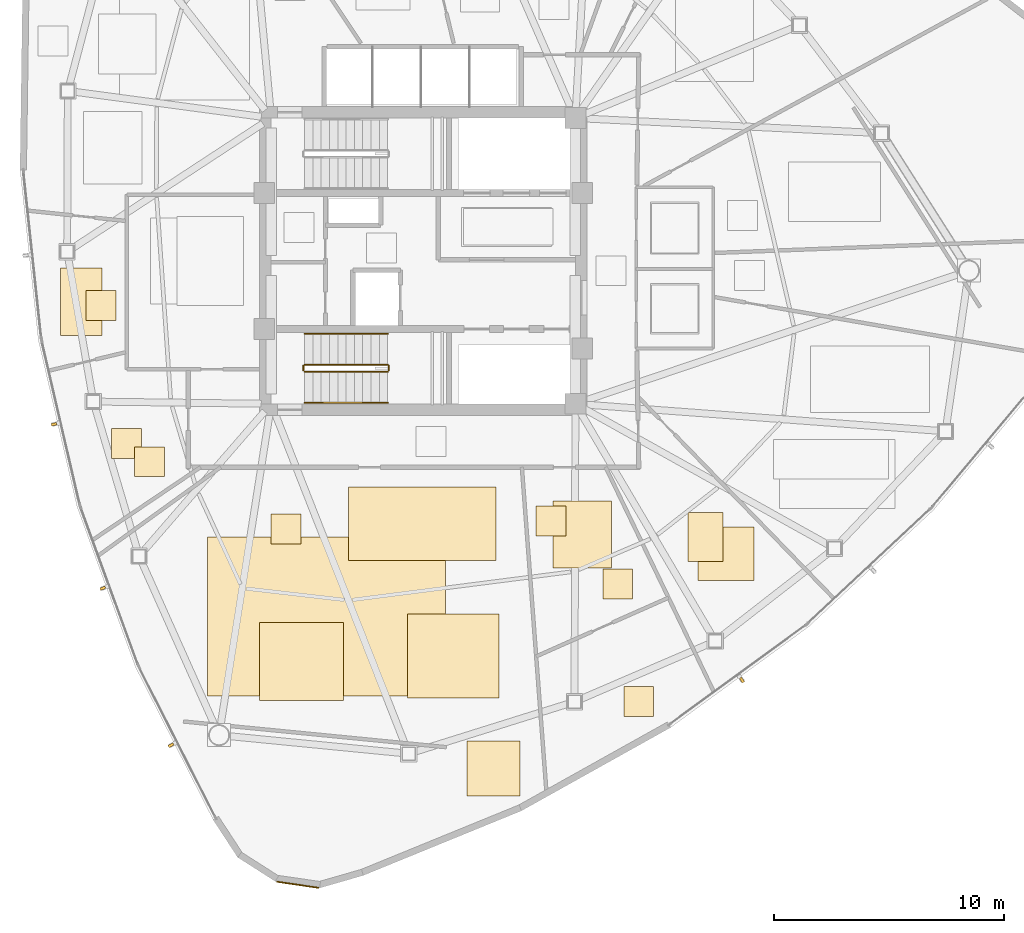
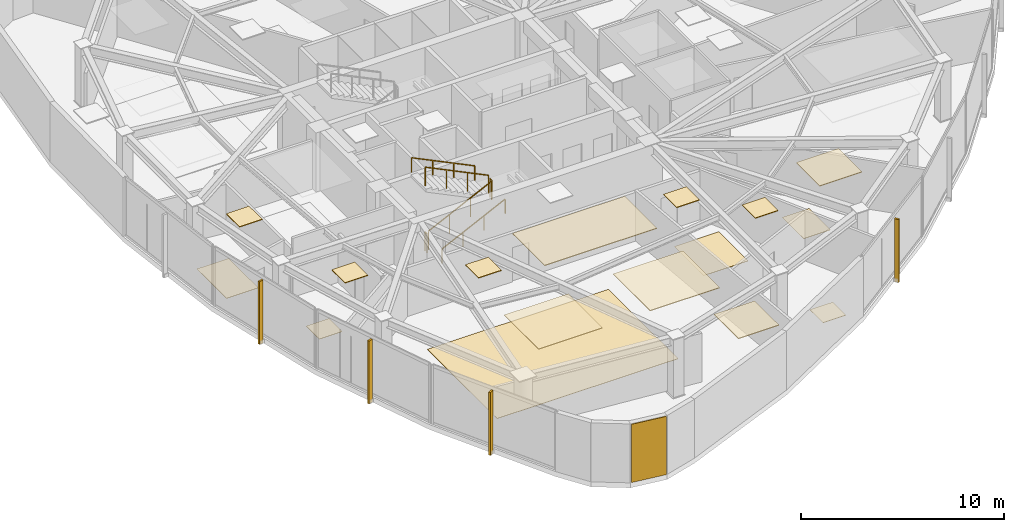
# One storey, part 14 of 17: 17 coverings, 6 railings, 4 shading devices.
"""IFC4 building model written with IfcOpenShell, lengths in metres."""

from ifc_helpers import new_model, si_unit, direction, frame, origin, origin_2d, place, context, subcontext, project, spatial, polyline, rectangle, outline, extrude, source, transform, mapped, material, layer, layer_set, type_object, type_shapes, element, save


model = new_model("IFC4")

# Units and contexts
model_context = context("Model", 3, precision=1e-05, world=origin(), true_north=direction((0.0, 1.0)))
body_context = subcontext(model_context, "Body", "Model", "MODEL_VIEW")
ifc_project = project(units=[si_unit("LENGTHUNIT", "METRE"), si_unit("AREAUNIT", "SQUARE_METRE"), si_unit("VOLUMEUNIT", "CUBIC_METRE"), si_unit("PLANEANGLEUNIT", "RADIAN"), si_unit("MASSUNIT", "GRAM", prefix="KILO")], contexts=[model_context])

# Site, building, storey
site_placement = place(None, origin())
site = spatial("IfcSite", under=ifc_project, at=site_placement, CompositionType="ELEMENT")
building_placement = place(site_placement, origin())
building = spatial("IfcBuilding", under=site, at=building_placement, Name="Tavelor Broadcast Tower", CompositionType="ELEMENT")
storey_placement = place(building_placement, frame((0.0, 0.0, 200.300048828125)))
storey = spatial("IfcBuildingStorey", under=building, at=storey_placement, Name="L48", CompositionType="ELEMENT", Elevation=200.300048828125)

# Covering
ifc_material_1 = material(Name="Copper-Bronze Anodized Aluminium", Category="aluminium")
ifc_layer_1 = layer(ifc_material_1, 0.050048828125)
ifc_layer_set_1 = layer_set([ifc_layer_1], Name="Copper-Bronze Anodized Aluminium")
covering_type_1 = type_object("IfcCoveringType", Name="Champagne-Bronze Corner Pier Metal Cladding 50 mm", PredefinedType="CLADDING", material=ifc_layer_set_1)
covering_1_placement = place(storey_placement, frame((44.55078125, 17.93359375, 0.02001953125), z_axis=(0.0, 0.0, 1.0), x_axis=(0.98965138682, -0.143492621991, 0.0)))
element("IfcCovering", 1, at=covering_1_placement, inside=storey, type_object=covering_type_1, Name="L48 Champagne-Bronze Corner Cladding 13", PredefinedType="CLADDING", context=body_context, shape_type="SweptSolid", body=[
    extrude(rectangle(XDim=1.849365234375, YDim=0.050048828125, at=origin_2d()), origin(), (0.0, 0.0, 1.0), 3.510009765625),
])

# Railings
ifc_material_2 = material(Name="Steel S355", Category="steel")
railing_type_1 = type_object("IfcRailingType", Name="Continuous Brushed Stainless Handrail 900 mm", PredefinedType="HANDRAIL", material=ifc_material_2)
railing_1_placement = place(storey_placement, frame((44.85009765625, 38.85009765625, 0.175048828125)))
element("IfcRailing", 2, at=railing_1_placement, inside=storey, type_object=railing_type_1, Name="L48 ST2 stair handrail 1", PredefinedType="HANDRAIL", context=body_context, shape_type="SweptSolid", body=[
    extrude(rectangle(XDim=0.048095703125, YDim=0.048095703125, at=origin_2d()), frame((0.0, 0.0, 0.8759765625), z_axis=(0.899360859046, 0.0, 0.437207096483), x_axis=(0.0, 1.0, 0.0)), (0.0, 0.0, 1.0), 4.002685546875),
    extrude(rectangle(XDim=0.0419921875, YDim=0.0419921875, at=origin_2d()), origin(), (0.0, 0.0, 1.0), 0.851806640625),
    extrude(rectangle(XDim=0.0419921875, YDim=0.0419921875, at=origin_2d()), frame((1.199951171875, 0.0, 0.583251953125)), (0.0, 0.0, 1.0), 0.851806640625),
    extrude(rectangle(XDim=0.0419921875, YDim=0.0419921875, at=origin_2d()), frame((2.39990234375, 0.0, 1.166748046875)), (0.0, 0.0, 1.0), 0.851806640625),
    extrude(rectangle(XDim=0.0419921875, YDim=0.0419921875, at=origin_2d()), frame((3.599853515625, 0.0, 1.75)), (0.0, 0.0, 1.0), 0.851806640625),
])
railing_2_placement = place(storey_placement, frame((48.449951171875, 41.85009765625, 2.099853515625)))
element("IfcRailing", 3, at=railing_2_placement, inside=storey, type_object=railing_type_1, Name="L48 ST2 stair handrail 2", PredefinedType="HANDRAIL", context=body_context, shape_type="SweptSolid", body=[
    extrude(rectangle(XDim=0.048095703125, YDim=0.048095703125, at=origin_2d()), frame((0.0, 0.0, 0.8759765625), z_axis=(-0.899360859046, 0.0, 0.437207096483), x_axis=(0.0, -1.0, 0.0)), (0.0, 0.0, 1.0), 4.002685546875),
    extrude(rectangle(XDim=0.0419921875, YDim=0.0419921875, at=origin_2d()), origin(), (0.0, 0.0, 1.0), 0.851806640625),
    extrude(rectangle(XDim=0.0419921875, YDim=0.0419921875, at=origin_2d()), frame((-1.199951171875, 0.0, 0.583251953125)), (0.0, 0.0, 1.0), 0.851806640625),
    extrude(rectangle(XDim=0.0419921875, YDim=0.0419921875, at=origin_2d()), frame((-2.39990234375, 0.0, 1.166748046875)), (0.0, 0.0, 1.0), 0.851806640625),
    extrude(rectangle(XDim=0.0419921875, YDim=0.0419921875, at=origin_2d()), frame((-3.599853515625, 0.0, 1.75)), (0.0, 0.0, 1.0), 0.851806640625),
])

# Coverings
ifc_material_3 = material(Name="Acoustic Nylon Carpet Tile")
ifc_layer_2 = layer(ifc_material_3, 0.02001953125)
ifc_layer_set_2 = layer_set([ifc_layer_2], Name="Acoustic Nylon Carpet Tile")
covering_type_2 = type_object("IfcCoveringType", Name="Heavy-Duty Acoustic Broadcast Carpet Tile 20 mm", PredefinedType="FLOORING", material=ifc_layer_set_2)
covering_2_placement = place(storey_placement, origin())
element("IfcCovering", 4, at=covering_2_placement, inside=storey, type_object=covering_type_2, Name="L48 Broadcast Floor Finish 0731", PredefinedType="FLOORING", context=body_context, shape_type="SweptSolid", body=[
    extrude(outline(polyline([(61.483642578125, 31.9677734375), (63.014892578125, 31.9677734375), (63.014892578125, 34.0859375), (61.483642578125, 34.0859375), (61.483642578125, 31.9677734375)])), origin(), (0.0, 0.0, 1.0), 0.02001953125),
])
covering_3_placement = place(storey_placement, origin())
element("IfcCovering", 5, at=covering_3_placement, inside=storey, type_object=covering_type_2, Name="L48 Broadcast Floor Finish 0732", PredefinedType="FLOORING", context=body_context, shape_type="SweptSolid", body=[
    extrude(outline(polyline([(58.698486328125, 25.2255859375), (59.99853515625, 25.2255859375), (59.99853515625, 26.525634765625), (58.698486328125, 26.525634765625), (58.698486328125, 25.2255859375)])), origin(), (0.0, 0.0, 1.0), 0.02001953125),
])
covering_4_placement = place(storey_placement, origin())
element("IfcCovering", 6, at=covering_4_placement, inside=storey, type_object=covering_type_2, Name="L48 Broadcast Floor Finish 0733", PredefinedType="FLOORING", context=body_context, shape_type="SweptSolid", body=[
    extrude(outline(polyline([(40.64208984375, 26.127197265625), (50.963623046875, 26.127197265625), (50.963623046875, 33.0166015625), (40.64208984375, 33.0166015625), (40.64208984375, 26.127197265625)])), origin(), (0.0, 0.0, 1.0), 0.02001953125),
])
covering_5_placement = place(storey_placement, origin())
element("IfcCovering", 7, at=covering_5_placement, inside=storey, type_object=covering_type_2, Name="L48 Broadcast Floor Finish 0734", PredefinedType="FLOORING", context=body_context, shape_type="SweptSolid", body=[
    extrude(outline(polyline([(36.46923828125, 36.435791015625), (37.769287109375, 36.435791015625), (37.769287109375, 37.735595703125), (36.46923828125, 37.735595703125), (36.46923828125, 36.435791015625)])), origin(), (0.0, 0.0, 1.0), 0.02001953125),
])
covering_6_placement = place(storey_placement, origin())
element("IfcCovering", 8, at=covering_6_placement, inside=storey, type_object=covering_type_2, Name="L48 Broadcast Floor Finish 0735", PredefinedType="FLOORING", context=body_context, shape_type="SweptSolid", body=[
    extrude(outline(polyline([(34.250732421875, 41.762451171875), (36.065185546875, 41.762451171875), (36.065185546875, 44.690185546875), (34.250732421875, 44.690185546875), (34.250732421875, 41.762451171875)])), origin(), (0.0, 0.0, 1.0), 0.02001953125),
])
covering_7_placement = place(storey_placement, origin())
element("IfcCovering", 9, at=covering_7_placement, inside=storey, type_object=covering_type_2, Name="L48 Broadcast Floor Finish 0740", PredefinedType="FLOORING", context=body_context, shape_type="SweptSolid", body=[
    extrude(outline(polyline([(55.618896484375, 31.684326171875), (58.16162109375, 31.684326171875), (58.16162109375, 34.583984375), (55.618896484375, 34.583984375), (55.618896484375, 31.684326171875)])), origin(), (0.0, 0.0, 1.0), 0.02001953125),
])

# Railings
railing_type_2 = type_object("IfcRailingType", Name="Stairwell Steel Safety Guardrail 1150 mm", PredefinedType="GUARDRAIL", material=ifc_material_2)
railing_3_placement = place(storey_placement, frame((44.85009765625, 40.199951171875, 0.175048828125)))
element("IfcRailing", 10, at=railing_3_placement, inside=storey, type_object=railing_type_2, Name="L48 ST2 stair guard 1", PredefinedType="GUARDRAIL", context=body_context, shape_type="SweptSolid", body=[
    extrude(rectangle(XDim=0.048095703125, YDim=0.048095703125, at=origin_2d()), frame((0.0, 0.0, 1.1259765625), z_axis=(0.899360859046, 0.0, 0.437207096483), x_axis=(0.0, 1.0, 0.0)), (0.0, 0.0, 1.0), 4.002685546875),
    extrude(rectangle(XDim=0.0419921875, YDim=0.0419921875, at=origin_2d()), origin(), (0.0, 0.0, 1.0), 1.101806640625),
    extrude(rectangle(XDim=0.0419921875, YDim=0.0419921875, at=origin_2d()), frame((1.199951171875, 0.0, 0.583251953125)), (0.0, 0.0, 1.0), 1.101806640625),
    extrude(rectangle(XDim=0.0419921875, YDim=0.0419921875, at=origin_2d()), frame((2.39990234375, 0.0, 1.166748046875)), (0.0, 0.0, 1.0), 1.101806640625),
    extrude(rectangle(XDim=0.0419921875, YDim=0.0419921875, at=origin_2d()), frame((3.599853515625, 0.0, 1.75)), (0.0, 0.0, 1.0), 1.101806640625),
])
railing_4_placement = place(storey_placement, frame((48.5, 40.25, 1.925048828125)))
element("IfcRailing", 11, at=railing_4_placement, inside=storey, type_object=railing_type_2, Name="L48 ST2 stair guard 2", PredefinedType="GUARDRAIL", context=body_context, shape_type="SweptSolid", body=[
    extrude(rectangle(XDim=0.048095703125, YDim=0.048095703125, at=origin_2d()), frame((0.0, 0.0, 1.1259765625), z_axis=(0.0, 1.0, 0.0), x_axis=(-1.0, 0.0, 0.0)), (0.0, 0.0, 1.0), 0.199951171875),
    extrude(rectangle(XDim=0.0419921875, YDim=0.0419921875, at=origin_2d()), origin(), (0.0, 0.0, 1.0), 1.101806640625),
    extrude(rectangle(XDim=0.0419921875, YDim=0.0419921875, at=origin_2d()), frame((0.0, 0.199951171875, 0.0)), (0.0, 0.0, 1.0), 1.101806640625),
])
railing_5_placement = place(storey_placement, frame((48.449951171875, 40.5, 2.099853515625)))
element("IfcRailing", 12, at=railing_5_placement, inside=storey, type_object=railing_type_2, Name="L48 ST2 stair guard 3", PredefinedType="GUARDRAIL", context=body_context, shape_type="SweptSolid", body=[
    extrude(rectangle(XDim=0.048095703125, YDim=0.048095703125, at=origin_2d()), frame((0.0, 0.0, 1.1259765625), z_axis=(-0.899360859046, 0.0, 0.437207096483), x_axis=(0.0, -1.0, 0.0)), (0.0, 0.0, 1.0), 4.002685546875),
    extrude(rectangle(XDim=0.0419921875, YDim=0.0419921875, at=origin_2d()), origin(), (0.0, 0.0, 1.0), 1.101806640625),
    extrude(rectangle(XDim=0.0419921875, YDim=0.0419921875, at=origin_2d()), frame((-1.199951171875, 0.0, 0.583251953125)), (0.0, 0.0, 1.0), 1.101806640625),
    extrude(rectangle(XDim=0.0419921875, YDim=0.0419921875, at=origin_2d()), frame((-2.39990234375, 0.0, 1.166748046875)), (0.0, 0.0, 1.0), 1.101806640625),
    extrude(rectangle(XDim=0.0419921875, YDim=0.0419921875, at=origin_2d()), frame((-3.599853515625, 0.0, 1.75)), (0.0, 0.0, 1.0), 1.101806640625),
])
railing_6_placement = place(storey_placement, frame((44.800048828125, 40.25, 0.0)))
element("IfcRailing", 13, at=railing_6_placement, inside=storey, type_object=railing_type_2, Name="L48 ST2 stair guard 4", PredefinedType="GUARDRAIL", context=body_context, shape_type="SweptSolid", body=[
    extrude(rectangle(XDim=0.048095703125, YDim=0.048095703125, at=origin_2d()), frame((0.0, 0.0, 1.1259765625), z_axis=(0.0, 1.0, 0.0), x_axis=(-1.0, 0.0, 0.0)), (0.0, 0.0, 1.0), 0.199951171875),
    extrude(rectangle(XDim=0.0419921875, YDim=0.0419921875, at=origin_2d()), origin(), (0.0, 0.0, 1.0), 1.101806640625),
    extrude(rectangle(XDim=0.0419921875, YDim=0.0419921875, at=origin_2d()), frame((0.0, 0.199951171875, 0.0)), (0.0, 0.0, 1.0), 1.101806640625),
])

# Coverings
ifc_material_4 = material(Name="Acoustic Mineral Fibre Tile")
ifc_layer_3 = layer(ifc_material_4, 0.0400390625)
ifc_layer_set_3 = layer_set([ifc_layer_3], Name="Acoustic Mineral Fibre Tile")
covering_type_3 = type_object("IfcCoveringType", Name="Suspended Acoustic Mineral-Fibre Office Ceiling 40 mm", PredefinedType="CEILING", material=ifc_layer_set_3)
covering_8_placement = place(storey_placement, frame((0.0, 0.0, 3.510009765625)))
element("IfcCovering", 14, at=covering_8_placement, inside=storey, type_object=covering_type_3, Name="L48 Suspended Acoustic Ceiling 2003", PredefinedType="CEILING", context=body_context, shape_type="SweptSolid", body=[
    extrude(outline(polyline([(61.923095703125, 31.14306640625), (64.343505859375, 31.14306640625), (64.343505859375, 33.46142578125), (61.923095703125, 33.46142578125), (61.923095703125, 31.14306640625)])), origin(), (0.0, 0.0, 1.0), 0.0400390625),
])
covering_9_placement = place(storey_placement, frame((0.0, 0.0, 3.510009765625)))
element("IfcCovering", 15, at=covering_9_placement, inside=storey, type_object=covering_type_3, Name="L48 Suspended Acoustic Ceiling 2004", PredefinedType="CEILING", context=body_context, shape_type="SweptSolid", body=[
    extrude(outline(polyline([(42.8876953125, 25.924560546875), (46.53515625, 25.924560546875), (46.53515625, 29.311279296875), (42.8876953125, 29.311279296875), (42.8876953125, 25.924560546875)])), origin(), (0.0, 0.0, 1.0), 0.0400390625),
])
covering_10_placement = place(storey_placement, frame((0.0, 0.0, 3.510009765625)))
element("IfcCovering", 16, at=covering_10_placement, inside=storey, type_object=covering_type_3, Name="L48 Suspended Acoustic Ceiling 2005", PredefinedType="CEILING", context=body_context, shape_type="SweptSolid", body=[
    extrude(outline(polyline([(43.384521484375, 32.710693359375), (44.6845703125, 32.710693359375), (44.6845703125, 34.0107421875), (43.384521484375, 34.0107421875), (43.384521484375, 32.710693359375)])), origin(), (0.0, 0.0, 1.0), 0.0400390625),
])
covering_11_placement = place(storey_placement, frame((0.0, 0.0, 3.510009765625)))
element("IfcCovering", 17, at=covering_11_placement, inside=storey, type_object=covering_type_3, Name="L48 Suspended Acoustic Ceiling 2006", PredefinedType="CEILING", context=body_context, shape_type="SweptSolid", body=[
    extrude(outline(polyline([(46.747802734375, 32.01025390625), (53.1474609375, 32.01025390625), (53.1474609375, 35.185546875), (46.747802734375, 35.185546875), (46.747802734375, 32.01025390625)])), origin(), (0.0, 0.0, 1.0), 0.0400390625),
])
covering_12_placement = place(storey_placement, frame((0.0, 0.0, 3.510009765625)))
element("IfcCovering", 18, at=covering_12_placement, inside=storey, type_object=covering_type_3, Name="L48 Suspended Acoustic Ceiling 2007", PredefinedType="CEILING", context=body_context, shape_type="SweptSolid", body=[
    extrude(outline(polyline([(49.3095703125, 26.03564453125), (53.275634765625, 26.03564453125), (53.275634765625, 29.68115234375), (49.3095703125, 29.68115234375), (49.3095703125, 26.03564453125)])), origin(), (0.0, 0.0, 1.0), 0.0400390625),
])
covering_13_placement = place(storey_placement, frame((0.0, 0.0, 3.510009765625)))
element("IfcCovering", 19, at=covering_13_placement, inside=storey, type_object=covering_type_3, Name="L48 Suspended Acoustic Ceiling 2008", PredefinedType="CEILING", context=body_context, shape_type="SweptSolid", body=[
    extrude(outline(polyline([(51.88720703125, 21.780517578125), (54.1953125, 21.780517578125), (54.1953125, 24.179443359375), (51.88720703125, 24.179443359375), (51.88720703125, 21.780517578125)])), origin(), (0.0, 0.0, 1.0), 0.0400390625),
])
covering_14_placement = place(storey_placement, frame((0.0, 0.0, 3.510009765625)))
element("IfcCovering", 20, at=covering_14_placement, inside=storey, type_object=covering_type_3, Name="L48 Suspended Acoustic Ceiling 2009", PredefinedType="CEILING", context=body_context, shape_type="SweptSolid", body=[
    extrude(outline(polyline([(37.46337890625, 35.63720703125), (38.763427734375, 35.63720703125), (38.763427734375, 36.937255859375), (37.46337890625, 36.937255859375), (37.46337890625, 35.63720703125)])), origin(), (0.0, 0.0, 1.0), 0.0400390625),
])
covering_15_placement = place(storey_placement, frame((0.0, 0.0, 3.510009765625)))
element("IfcCovering", 21, at=covering_15_placement, inside=storey, type_object=covering_type_3, Name="L48 Suspended Acoustic Ceiling 2010", PredefinedType="CEILING", context=body_context, shape_type="SweptSolid", body=[
    extrude(outline(polyline([(35.36279296875, 42.41259765625), (36.66259765625, 42.41259765625), (36.66259765625, 43.712646484375), (35.36279296875, 43.712646484375), (35.36279296875, 42.41259765625)])), origin(), (0.0, 0.0, 1.0), 0.0400390625),
])
covering_16_placement = place(storey_placement, frame((0.0, 0.0, 3.510009765625)))
element("IfcCovering", 22, at=covering_16_placement, inside=storey, type_object=covering_type_3, Name="L48 Suspended Acoustic Ceiling 2027", PredefinedType="CEILING", context=body_context, shape_type="SweptSolid", body=[
    extrude(outline(polyline([(54.8828125, 33.07470703125), (56.1826171875, 33.07470703125), (56.1826171875, 34.37451171875), (54.8828125, 34.37451171875), (54.8828125, 33.07470703125)])), origin(), (0.0, 0.0, 1.0), 0.0400390625),
])
covering_17_placement = place(storey_placement, frame((0.0, 0.0, 3.510009765625)))
element("IfcCovering", 23, at=covering_17_placement, inside=storey, type_object=covering_type_3, Name="L48 Suspended Acoustic Ceiling 2028", PredefinedType="CEILING", context=body_context, shape_type="SweptSolid", body=[
    extrude(outline(polyline([(57.786865234375, 30.33837890625), (59.0869140625, 30.33837890625), (59.0869140625, 31.638427734375), (57.786865234375, 31.638427734375), (57.786865234375, 30.33837890625)])), origin(), (0.0, 0.0, 1.0), 0.0400390625),
])

# Shading devices
ifc_material_5 = material(Name="Kiln-Fired Glazed Terracotta", Category="masonry")
shading_device_type = type_object("IfcShadingDeviceType", Name="Extruded Terracotta Baguette Sun-Screen 110x240", PredefinedType="JALOUSIE", material=ifc_material_5)
shared_shape = source(origin(), body_context, "Body", "SweptSolid", [
    extrude(rectangle(XDim=0.110107421875, YDim=0.239990234375, at=origin_2d()), origin(), (0.0, 0.0, 1.0), 3.7900390625),
])
type_shapes(shading_device_type, [shared_shape])
for number, where, z_axis, x_axis, name in (
    (24, (33.97509765625, 37.915283203125, -0.260009765625), (0.0, 0.0, 1.0), (0.226311311886, -0.974055024171, 0.0), "L48 Terracotta Baguette Fin 506"),
    (25, (36.090576171875, 30.797607421875, -0.260009765625), (0.0, 0.0, 1.0), (0.342512118325, -0.939513410655, 0.0), "L48 Terracotta Baguette Fin 507"),
    (26, (39.051513671875, 23.98779296875, -0.260009765625), (0.0, 0.0, 1.0), (0.453679452137, -0.891164942482, 0.0), "L48 Terracotta Baguette Fin 508"),
    (27, (63.826416015625, 26.813720703125, -0.260009765625), (0.0, 0.0, 1.0), (0.807784166349, 0.589478363128, 0.0), "L48 Terracotta Baguette Fin 509"),
):
    element("IfcShadingDevice", number, at=place(storey_placement, frame(where, z_axis=z_axis, x_axis=x_axis)), inside=storey, type_object=shading_device_type, Name=name, PredefinedType="JALOUSIE", context=body_context, shape_type="MappedRepresentation", body=[
        mapped(shared_shape, transform((0.0, 0.0, 0.0), scale=1.0)),
    ])

save(model, "model.ifc")
